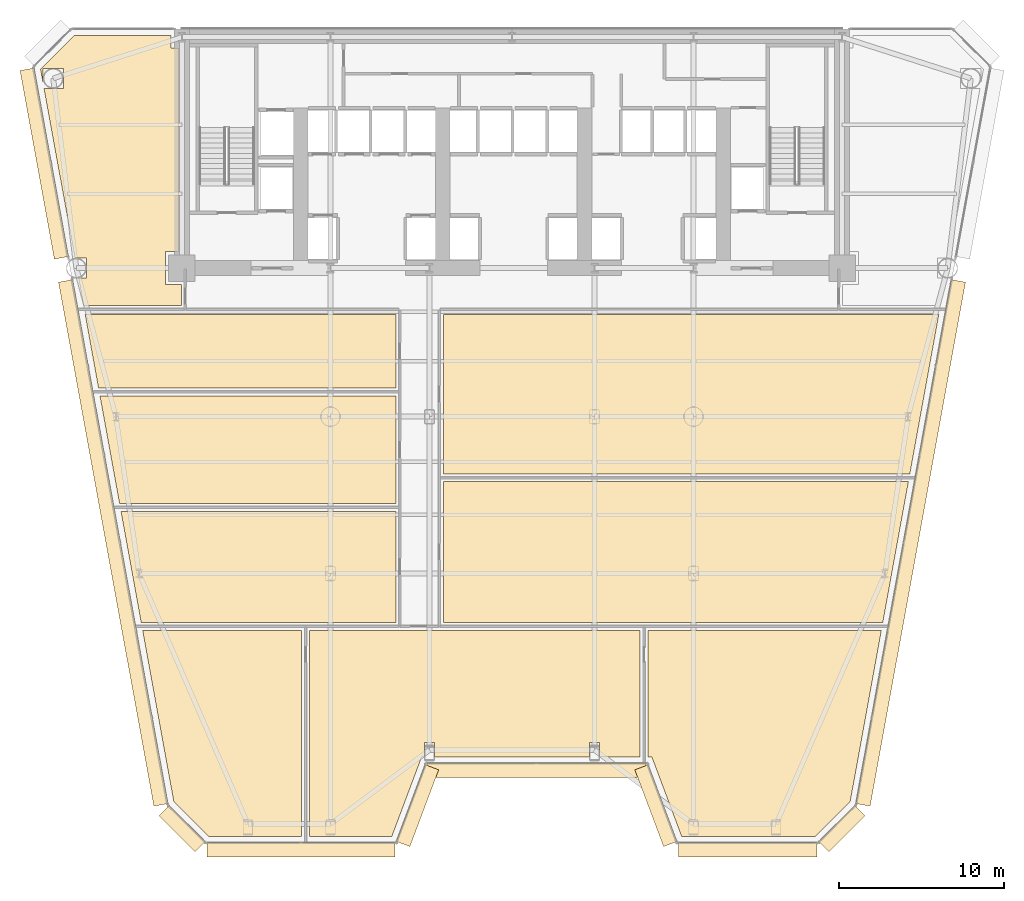
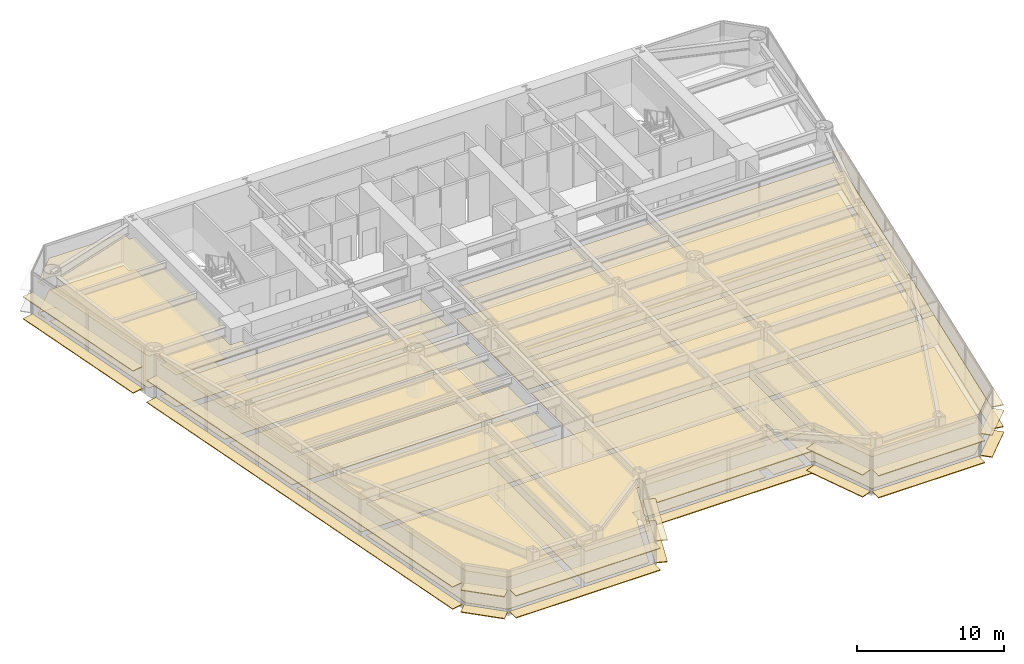
# One storey, part 11 of 14: 38 coverings.
"""IFC4 building model written with IfcOpenShell, lengths in metres."""

from ifc_helpers import new_model, si_unit, direction, frame, origin, origin_2d, place, context, subcontext, project, spatial, polyline, rectangle, outline, extrude, source, transform, mapped, material, layer, layer_set, type_object, element, save


model = new_model("IFC4")

# Units and contexts
model_context = context("Model", 3, precision=1e-05, world=origin(), true_north=direction((0.0, 1.0)))
body_context = subcontext(model_context, "Body", "Model", "MODEL_VIEW")
ifc_project = project(units=[si_unit("LENGTHUNIT", "METRE"), si_unit("AREAUNIT", "SQUARE_METRE"), si_unit("VOLUMEUNIT", "CUBIC_METRE"), si_unit("PLANEANGLEUNIT", "RADIAN"), si_unit("MASSUNIT", "GRAM", prefix="KILO")], contexts=[model_context])

# Site, building, storey
site_placement = place(None, origin())
site = spatial("IfcSite", under=ifc_project, at=site_placement, CompositionType="ELEMENT")
building_placement = place(site_placement, origin())
building = spatial("IfcBuilding", under=site, at=building_placement, Name="Vaeldorn Concourse Tower", CompositionType="ELEMENT")
storey_placement = place(building_placement, frame((0.0, 0.0, 45.39990234375)))
storey = spatial("IfcBuildingStorey", under=building, at=storey_placement, Name="L11", CompositionType="ELEMENT", Elevation=45.39990234375)

# Coverings
ifc_material_1 = material(Name="Acoustic Mineral Fibre Board", Category="gypsum")
ifc_layer_1 = layer(ifc_material_1, 0.0400390625)
ifc_layer_set_1 = layer_set([ifc_layer_1], Name="Acoustic Mineral Fibre Board")
covering_type_1 = type_object("IfcCoveringType", Name="COV-CEIL-ACOUSTIC", PredefinedType="CEILING", material=ifc_layer_set_1)
covering_1_placement = place(storey_placement, frame((0.0, 0.0, 2.650146484375)))
element("IfcCovering", 1, at=covering_1_placement, inside=storey, type_object=covering_type_1, Name="Suspended Acoustic Ceiling L11-3", PredefinedType="CEILING", context=body_context, shape_type="SweptSolid", body=[
    extrude(outline(polyline([(7.4658203125, 50.60009765625), (13.340087890625, 50.60009765625), (13.340087890625, 49.840087890625), (13.820068359375, 49.840087890625), (13.820068359375, 37.5), (13.0, 37.5), (13.0, 35.5), (13.9599609375, 35.5), (13.9599609375, 34.239990234375), (8.037841796875, 34.239990234375), (7.77587890625, 35.679931640625), (7.77587890625, 35.679931640625), (7.737548828125, 35.890380859375), (8.20947265625, 35.890380859375), (8.20947265625, 37.109619140625), (7.515625, 37.109619140625), (5.64501953125, 47.390380859375), (6.8095703125, 47.390380859375), (6.8095703125, 48.609619140625), (5.590576171875, 48.609619140625), (5.590576171875, 47.689208984375), (5.43115234375, 48.5654296875), (7.4658203125, 50.60009765625)])), origin(), (0.0, 0.0, 1.0), 0.0400390625),
])
covering_2_placement = place(storey_placement, frame((0.0, 0.0, 2.650146484375)))
element("IfcCovering", 2, at=covering_2_placement, inside=storey, type_object=covering_type_1, Name="Suspended Acoustic Ceiling L11-5", PredefinedType="CEILING", context=body_context, shape_type="SweptSolid", body=[
    extrude(outline(polyline([(26.9599609375, 21.760009765625), (26.9599609375, 15.0400390625), (11.53173828125, 15.0400390625), (10.308837890625, 21.760009765625), (26.9599609375, 21.760009765625)])), origin(), (0.0, 0.0, 1.0), 0.0400390625),
])
covering_3_placement = place(storey_placement, frame((0.0, 0.0, 2.650146484375)))
element("IfcCovering", 3, at=covering_3_placement, inside=storey, type_object=covering_type_1, Name="Suspended Acoustic Ceiling L11-6", PredefinedType="CEILING", context=body_context, shape_type="SweptSolid", body=[
    extrude(outline(polyline([(26.9599609375, 28.760009765625), (26.9599609375, 22.239990234375), (10.221435546875, 22.239990234375), (9.034912109375, 28.760009765625), (26.9599609375, 28.760009765625)])), origin(), (0.0, 0.0, 1.0), 0.0400390625),
])
covering_4_placement = place(storey_placement, frame((0.0, 0.0, 2.650146484375)))
element("IfcCovering", 4, at=covering_4_placement, inside=storey, type_object=covering_type_1, Name="Suspended Acoustic Ceiling L11-7", PredefinedType="CEILING", context=body_context, shape_type="SweptSolid", body=[
    extrude(outline(polyline([(26.9599609375, 33.699951171875), (26.9599609375, 29.239990234375), (8.94775390625, 29.239990234375), (8.135986328125, 33.699951171875), (26.9599609375, 33.699951171875)])), origin(), (0.0, 0.0, 1.0), 0.0400390625),
])
covering_5_placement = place(storey_placement, frame((0.0, 0.0, 2.650146484375)))
element("IfcCovering", 5, at=covering_5_placement, inside=storey, type_object=covering_type_1, Name="Suspended Acoustic Ceiling L11-8", PredefinedType="CEILING", context=body_context, shape_type="SweptSolid", body=[
    extrude(outline(polyline([(29.840087890625, 15.0400390625), (29.840087890625, 23.56005859375), (58.018798828125, 23.56005859375), (56.46826171875, 15.0400390625), (29.840087890625, 15.0400390625)])), origin(), (0.0, 0.0, 1.0), 0.0400390625),
])
covering_6_placement = place(storey_placement, frame((0.0, 0.0, 2.650146484375)))
element("IfcCovering", 6, at=covering_6_placement, inside=storey, type_object=covering_type_1, Name="Suspended Acoustic Ceiling L11-9", PredefinedType="CEILING", context=body_context, shape_type="SweptSolid", body=[
    extrude(outline(polyline([(29.840087890625, 24.0400390625), (29.840087890625, 33.699951171875), (59.864013671875, 33.699951171875), (58.10595703125, 24.0400390625), (29.840087890625, 24.0400390625)])), origin(), (0.0, 0.0, 1.0), 0.0400390625),
])
covering_7_placement = place(storey_placement, frame((0.0, 0.0, 2.650146484375)))
element("IfcCovering", 7, at=covering_7_placement, inside=storey, type_object=covering_type_1, Name="Suspended Acoustic Ceiling L11-10", PredefinedType="CEILING", context=body_context, shape_type="SweptSolid", body=[
    extrude(outline(polyline([(21.260009765625, 14.56005859375), (21.260009765625, 2.073486328125), (15.6044921875, 2.073486328125), (13.510009765625, 4.16796875), (11.618896484375, 14.56005859375), (21.260009765625, 14.56005859375)])), origin(), (0.0, 0.0, 1.0), 0.0400390625),
])
covering_8_placement = place(storey_placement, frame((0.0, 0.0, 2.650146484375)))
element("IfcCovering", 8, at=covering_8_placement, inside=storey, type_object=covering_type_1, Name="Suspended Acoustic Ceiling L11-11", PredefinedType="CEILING", context=body_context, shape_type="SweptSolid", body=[
    extrude(outline(polyline([(26.722900390625, 2.073486328125), (21.739990234375, 2.073486328125), (21.739990234375, 14.56005859375), (41.760009765625, 14.56005859375), (41.760009765625, 6.87353515625), (39.300048828125, 6.87353515625), (39.300048828125, 7.7626953125), (38.699951171875, 7.7626953125), (38.699951171875, 6.87353515625), (29.300048828125, 6.87353515625), (29.300048828125, 7.7626953125), (28.699951171875, 7.7626953125), (28.699951171875, 6.87353515625), (28.522705078125, 6.87353515625), (26.722900390625, 2.073486328125)])), origin(), (0.0, 0.0, 1.0), 0.0400390625),
])
covering_9_placement = place(storey_placement, frame((0.0, 0.0, 2.650146484375)))
element("IfcCovering", 9, at=covering_9_placement, inside=storey, type_object=covering_type_1, Name="Suspended Acoustic Ceiling L11-12", PredefinedType="CEILING", context=body_context, shape_type="SweptSolid", body=[
    extrude(outline(polyline([(42.239990234375, 14.56005859375), (56.381103515625, 14.56005859375), (54.489990234375, 4.16796875), (52.3955078125, 2.073486328125), (44.277099609375, 2.073486328125), (42.477294921875, 6.87353515625), (42.239990234375, 6.87353515625), (42.239990234375, 14.56005859375)])), origin(), (0.0, 0.0, 1.0), 0.0400390625),
])
ifc_material_2 = material(Name="Honed Limestone Terrazzo Flooring", Category="masonry")
ifc_layer_2 = layer(ifc_material_2, 0.0400390625)
ifc_layer_set_2 = layer_set([ifc_layer_2], Name="Honed Limestone Terrazzo Flooring")
covering_type_2 = type_object("IfcCoveringType", Name="COV-FLOOR-STONE", PredefinedType="FLOORING", material=ifc_layer_set_2)
covering_10_placement = place(storey_placement, origin())
element("IfcCovering", 10, at=covering_10_placement, inside=storey, type_object=covering_type_2, Name="Floor Finish Covering L11-3", PredefinedType="FLOORING", context=body_context, shape_type="SweptSolid", body=[
    extrude(outline(polyline([(7.4658203125, 50.60009765625), (13.340087890625, 50.60009765625), (13.340087890625, 49.840087890625), (13.820068359375, 49.840087890625), (13.820068359375, 37.5), (13.0, 37.5), (13.0, 35.5), (13.9599609375, 35.5), (13.9599609375, 34.239990234375), (8.037841796875, 34.239990234375), (7.77587890625, 35.679931640625), (7.77587890625, 35.679931640625), (7.737548828125, 35.890380859375), (8.20947265625, 35.890380859375), (8.20947265625, 37.109619140625), (7.515625, 37.109619140625), (5.64501953125, 47.390380859375), (6.8095703125, 47.390380859375), (6.8095703125, 48.609619140625), (5.590576171875, 48.609619140625), (5.590576171875, 47.689208984375), (5.43115234375, 48.5654296875), (7.4658203125, 50.60009765625)])), origin(), (0.0, 0.0, 1.0), 0.030029296875),
])
covering_11_placement = place(storey_placement, origin())
element("IfcCovering", 11, at=covering_11_placement, inside=storey, type_object=covering_type_2, Name="Floor Finish Covering L11-5", PredefinedType="FLOORING", context=body_context, shape_type="SweptSolid", body=[
    extrude(outline(polyline([(26.9599609375, 21.760009765625), (26.9599609375, 15.0400390625), (11.53173828125, 15.0400390625), (10.308837890625, 21.760009765625), (26.9599609375, 21.760009765625)])), origin(), (0.0, 0.0, 1.0), 0.030029296875),
])
covering_12_placement = place(storey_placement, origin())
element("IfcCovering", 12, at=covering_12_placement, inside=storey, type_object=covering_type_2, Name="Floor Finish Covering L11-6", PredefinedType="FLOORING", context=body_context, shape_type="SweptSolid", body=[
    extrude(outline(polyline([(26.9599609375, 28.760009765625), (26.9599609375, 22.239990234375), (10.221435546875, 22.239990234375), (9.034912109375, 28.760009765625), (26.9599609375, 28.760009765625)])), origin(), (0.0, 0.0, 1.0), 0.030029296875),
])
covering_13_placement = place(storey_placement, origin())
element("IfcCovering", 13, at=covering_13_placement, inside=storey, type_object=covering_type_2, Name="Floor Finish Covering L11-7", PredefinedType="FLOORING", context=body_context, shape_type="SweptSolid", body=[
    extrude(outline(polyline([(26.9599609375, 33.699951171875), (26.9599609375, 29.239990234375), (8.94775390625, 29.239990234375), (8.135986328125, 33.699951171875), (26.9599609375, 33.699951171875)])), origin(), (0.0, 0.0, 1.0), 0.030029296875),
])
covering_14_placement = place(storey_placement, origin())
element("IfcCovering", 14, at=covering_14_placement, inside=storey, type_object=covering_type_2, Name="Floor Finish Covering L11-8", PredefinedType="FLOORING", context=body_context, shape_type="SweptSolid", body=[
    extrude(outline(polyline([(29.840087890625, 15.0400390625), (29.840087890625, 23.56005859375), (58.018798828125, 23.56005859375), (56.46826171875, 15.0400390625), (29.840087890625, 15.0400390625)])), origin(), (0.0, 0.0, 1.0), 0.030029296875),
])
covering_15_placement = place(storey_placement, origin())
element("IfcCovering", 15, at=covering_15_placement, inside=storey, type_object=covering_type_2, Name="Floor Finish Covering L11-9", PredefinedType="FLOORING", context=body_context, shape_type="SweptSolid", body=[
    extrude(outline(polyline([(29.840087890625, 24.0400390625), (29.840087890625, 33.699951171875), (59.864013671875, 33.699951171875), (58.10595703125, 24.0400390625), (29.840087890625, 24.0400390625)])), origin(), (0.0, 0.0, 1.0), 0.030029296875),
])
covering_16_placement = place(storey_placement, origin())
element("IfcCovering", 16, at=covering_16_placement, inside=storey, type_object=covering_type_2, Name="Floor Finish Covering L11-10", PredefinedType="FLOORING", context=body_context, shape_type="SweptSolid", body=[
    extrude(outline(polyline([(21.260009765625, 14.56005859375), (21.260009765625, 2.073486328125), (15.6044921875, 2.073486328125), (13.510009765625, 4.16796875), (11.618896484375, 14.56005859375), (21.260009765625, 14.56005859375)])), origin(), (0.0, 0.0, 1.0), 0.030029296875),
])
covering_17_placement = place(storey_placement, origin())
element("IfcCovering", 17, at=covering_17_placement, inside=storey, type_object=covering_type_2, Name="Floor Finish Covering L11-11", PredefinedType="FLOORING", context=body_context, shape_type="SweptSolid", body=[
    extrude(outline(polyline([(26.722900390625, 2.073486328125), (21.739990234375, 2.073486328125), (21.739990234375, 14.56005859375), (41.760009765625, 14.56005859375), (41.760009765625, 6.87353515625), (39.300048828125, 6.87353515625), (39.300048828125, 7.7626953125), (38.699951171875, 7.7626953125), (38.699951171875, 6.87353515625), (29.300048828125, 6.87353515625), (29.300048828125, 7.7626953125), (28.699951171875, 7.7626953125), (28.699951171875, 6.87353515625), (28.522705078125, 6.87353515625), (26.722900390625, 2.073486328125)])), origin(), (0.0, 0.0, 1.0), 0.030029296875),
])
covering_18_placement = place(storey_placement, origin())
element("IfcCovering", 18, at=covering_18_placement, inside=storey, type_object=covering_type_2, Name="Floor Finish Covering L11-12", PredefinedType="FLOORING", context=body_context, shape_type="SweptSolid", body=[
    extrude(outline(polyline([(42.239990234375, 14.56005859375), (56.381103515625, 14.56005859375), (54.489990234375, 4.16796875), (52.3955078125, 2.073486328125), (44.277099609375, 2.073486328125), (42.477294921875, 6.87353515625), (42.239990234375, 6.87353515625), (42.239990234375, 14.56005859375)])), origin(), (0.0, 0.0, 1.0), 0.030029296875),
])
ifc_material_3 = material(Name="Anodised Bronze Aluminium", Category="aluminium")
ifc_layer_3 = layer(ifc_material_3, 0.06494140625)
ifc_layer_set_3 = layer_set([ifc_layer_3], Name="Anodised Bronze Aluminium")
covering_type_3 = type_object("IfcCoveringType", Name="SD-BRONZE-SUNSHADE", PredefinedType="USERDEFINED", material=ifc_layer_set_3)
shared_shape_1 = source(origin(), body_context, "Body", "SweptSolid", [
    extrude(rectangle(XDim=4.96630859375, YDim=0.8798828125, at=origin_2d()), origin(), (0.0, 0.0, 1.0), 0.06494140625),
])
for number, where, z_axis, x_axis, name in (
    (19, (28.2744140625, 3.93310546875, 0.047607421875), (0.0, 0.0, 1.0), (0.351122702609, 0.936329454686, 0.0), "Horizontal Bronze Sunshade L11-E02.1.1"),
    (20, (28.2744140625, 3.93310546875, 1.86767578125), (0.0, 0.0, 1.0), (0.351122702609, 0.936329454686, 0.0), "Horizontal Bronze Sunshade L11-E02.1.2"),
    (21, (42.7255859375, 3.93310546875, 0.047607421875), (0.0, 0.0, 1.0), (0.351122702609, -0.936329454686, 0.0), "Horizontal Bronze Sunshade L11-E04.1.1"),
    (22, (42.7255859375, 3.93310546875, 1.86767578125), (0.0, 0.0, 1.0), (0.351122702609, -0.936329454686, 0.0), "Horizontal Bronze Sunshade L11-E04.1.2"),
):
    element("IfcCovering", number, at=place(storey_placement, frame(where, z_axis=z_axis, x_axis=x_axis)), inside=storey, type_object=covering_type_3, Name=name, ObjectType="SUNSHADE", PredefinedType="USERDEFINED", context=body_context, shape_type="MappedRepresentation", body=[
        mapped(shared_shape_1, transform((0.0, 0.0, 0.0), scale=1.0)),
    ])
shared_shape_2 = source(origin(), body_context, "Body", "SweptSolid", [
    extrude(rectangle(XDim=13.239990234375, YDim=0.8798828125, at=origin_2d()), origin(), (0.0, 0.0, 1.0), 0.06494140625),
])
for number, where, z_axis, x_axis, name in (
    (23, (35.5, 6.073486328125, 0.047607421875), (0.0, 0.0, 1.0), (1.0, 0.0, 0.0), "Horizontal Bronze Sunshade L11-E03.1.1"),
    (24, (35.5, 6.073486328125, 1.86767578125), (0.0, 0.0, 1.0), (1.0, 0.0, 0.0), "Horizontal Bronze Sunshade L11-E03.1.2"),
):
    element("IfcCovering", number, at=place(storey_placement, frame(where, z_axis=z_axis, x_axis=x_axis)), inside=storey, type_object=covering_type_3, Name=name, ObjectType="SUNSHADE", PredefinedType="USERDEFINED", context=body_context, shape_type="MappedRepresentation", body=[
        mapped(shared_shape_2, transform((0.0, 0.0, 0.0), scale=1.0)),
    ])
shared_shape_3 = source(origin(), body_context, "Body", "SweptSolid", [
    extrude(rectangle(XDim=3.0927734375, YDim=0.8798828125, at=origin_2d()), origin(), (0.0, 0.0, 1.0), 0.06494140625),
])
for number, where, z_axis, x_axis, name in (
    (25, (53.993896484375, 2.540771484375, 0.047607421875), (0.0, 0.0, 1.0), (0.707106781187, 0.707106781187, 0.0), "Horizontal Bronze Sunshade L11-E06.1.1"),
    (26, (53.993896484375, 2.540771484375, 1.86767578125), (0.0, 0.0, 1.0), (0.707106781187, 0.707106781187, 0.0), "Horizontal Bronze Sunshade L11-E06.1.2"),
    (27, (14.006103515625, 2.540771484375, 0.047607421875), (0.0, 0.0, 1.0), (0.707106781187, -0.707106781187, 0.0), "Horizontal Bronze Sunshade L11-E12.1.1"),
    (28, (14.006103515625, 2.540771484375, 1.86767578125), (0.0, 0.0, 1.0), (0.707106781187, -0.707106781187, 0.0), "Horizontal Bronze Sunshade L11-E12.1.2"),
):
    element("IfcCovering", number, at=place(storey_placement, frame(where, z_axis=z_axis, x_axis=x_axis)), inside=storey, type_object=covering_type_3, Name=name, ObjectType="SUNSHADE", PredefinedType="USERDEFINED", context=body_context, shape_type="MappedRepresentation", body=[
        mapped(shared_shape_3, transform((0.0, 0.0, 0.0), scale=1.0)),
    ])
shared_shape_4 = source(origin(), body_context, "Body", "SweptSolid", [
    extrude(rectangle(XDim=11.610595703125, YDim=0.8798828125, at=origin_2d()), origin(), (0.0, 0.0, 1.0), 0.06494140625),
])
for number, where, z_axis, x_axis, name in (
    (29, (5.66015625, 42.838134765625, 0.047607421875), (0.0, 0.0, 1.0), (0.179025446946, -0.983844443673, 0.0), "Horizontal Bronze Sunshade L11-E11.1.1"),
    (30, (5.66015625, 42.838134765625, 1.86767578125), (0.0, 0.0, 1.0), (0.179025446946, -0.983844443673, 0.0), "Horizontal Bronze Sunshade L11-E11.1.2"),
):
    element("IfcCovering", number, at=place(storey_placement, frame(where, z_axis=z_axis, x_axis=x_axis)), inside=storey, type_object=covering_type_3, Name=name, ObjectType="SUNSHADE", PredefinedType="USERDEFINED", context=body_context, shape_type="MappedRepresentation", body=[
        mapped(shared_shape_4, transform((0.0, 0.0, 0.0), scale=1.0)),
    ])
shared_shape_5 = source(origin(), body_context, "Body", "SweptSolid", [
    extrude(rectangle(XDim=11.401123046875, YDim=0.8798828125, at=origin_2d()), origin(), (0.0, 0.0, 1.0), 0.06494140625),
])
for number, where, z_axis, x_axis, name in (
    (31, (21.219482421875, 1.2734375, 0.047607421875), (0.0, 0.0, 1.0), (1.0, 0.0, 0.0), "Horizontal Bronze Sunshade L11-E01.1.1"),
    (32, (21.219482421875, 1.2734375, 1.86767578125), (0.0, 0.0, 1.0), (1.0, 0.0, 0.0), "Horizontal Bronze Sunshade L11-E01.1.2"),
):
    element("IfcCovering", number, at=place(storey_placement, frame(where, z_axis=z_axis, x_axis=x_axis)), inside=storey, type_object=covering_type_3, Name=name, ObjectType="SUNSHADE", PredefinedType="USERDEFINED", context=body_context, shape_type="MappedRepresentation", body=[
        mapped(shared_shape_5, transform((0.0, 0.0, 0.0), scale=1.0)),
    ])
shared_shape_6 = source(origin(), body_context, "Body", "SweptSolid", [
    extrude(rectangle(XDim=8.401123046875, YDim=0.8798828125, at=origin_2d()), origin(), (0.0, 0.0, 1.0), 0.06494140625),
])
for number, where, z_axis, x_axis, name in (
    (33, (48.280517578125, 1.2734375, 0.047607421875), (0.0, 0.0, 1.0), (1.0, 0.0, 0.0), "Horizontal Bronze Sunshade L11-E05.1.1"),
    (34, (48.280517578125, 1.2734375, 1.86767578125), (0.0, 0.0, 1.0), (1.0, 0.0, 0.0), "Horizontal Bronze Sunshade L11-E05.1.2"),
):
    element("IfcCovering", number, at=place(storey_placement, frame(where, z_axis=z_axis, x_axis=x_axis)), inside=storey, type_object=covering_type_3, Name=name, ObjectType="SUNSHADE", PredefinedType="USERDEFINED", context=body_context, shape_type="MappedRepresentation", body=[
        mapped(shared_shape_6, transform((0.0, 0.0, 0.0), scale=1.0)),
    ])
shared_shape_7 = source(origin(), body_context, "Body", "SweptSolid", [
    extrude(rectangle(XDim=32.27099609375, YDim=0.8798828125, at=origin_2d()), origin(), (0.0, 0.0, 1.0), 0.06494140625),
])
for number, where, z_axis, x_axis, name in (
    (35, (58.15771484375, 19.85546875, 0.047607421875), (0.0, 0.0, 1.0), (0.179025446946, 0.983844443673, 0.0), "Horizontal Bronze Sunshade L11-E07.1.1"),
    (36, (58.15771484375, 19.85546875, 1.86767578125), (0.0, 0.0, 1.0), (0.179025446946, 0.983844443673, 0.0), "Horizontal Bronze Sunshade L11-E07.1.2"),
    (37, (9.84228515625, 19.85546875, 0.047607421875), (0.0, 0.0, 1.0), (0.179025446946, -0.983844443673, 0.0), "Horizontal Bronze Sunshade L11-E11.2.1"),
    (38, (9.84228515625, 19.85546875, 1.86767578125), (0.0, 0.0, 1.0), (0.179025446946, -0.983844443673, 0.0), "Horizontal Bronze Sunshade L11-E11.2.2"),
):
    element("IfcCovering", number, at=place(storey_placement, frame(where, z_axis=z_axis, x_axis=x_axis)), inside=storey, type_object=covering_type_3, Name=name, ObjectType="SUNSHADE", PredefinedType="USERDEFINED", context=body_context, shape_type="MappedRepresentation", body=[
        mapped(shared_shape_7, transform((0.0, 0.0, 0.0), scale=1.0)),
    ])

save(model, "model.ifc")
